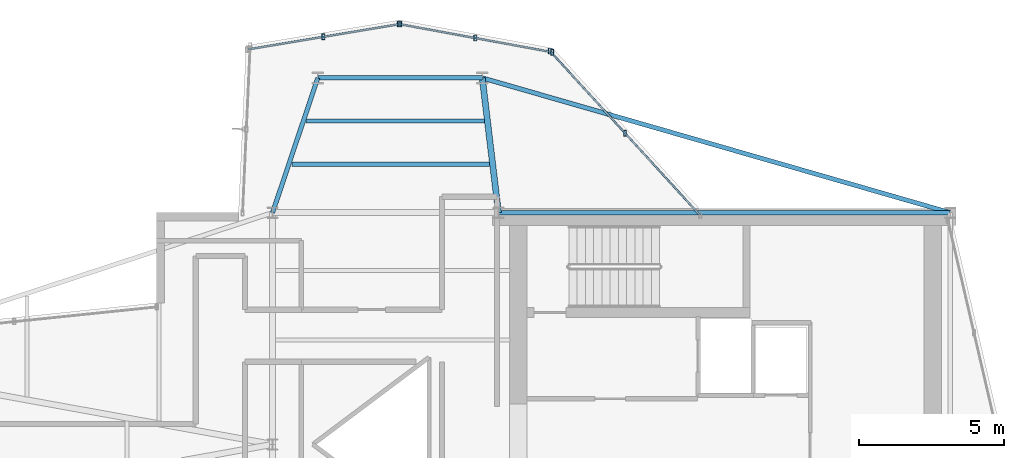
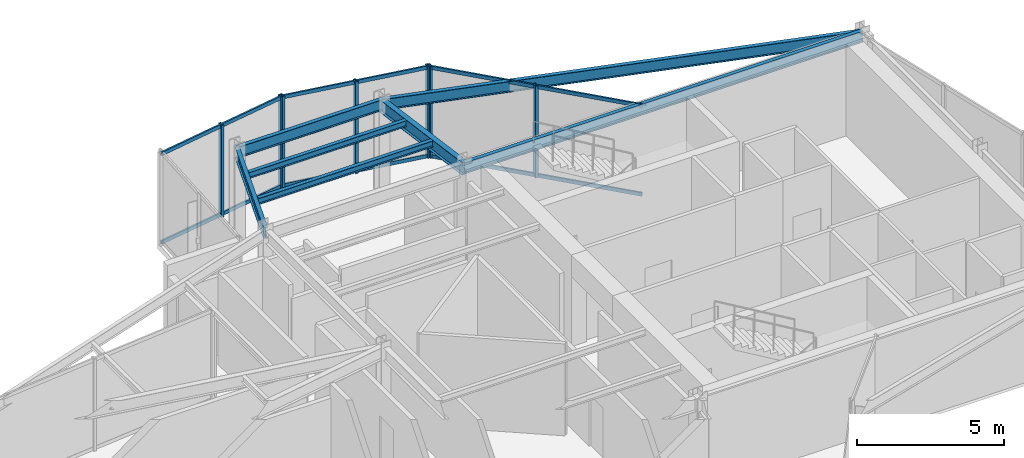
# One storey, part 6 of 13: 13 members, 7 beams, 3 elements without a shape of their own.
"""IFC4 building model written with IfcOpenShell, lengths in metres."""

from ifc_helpers import new_model, si_unit, direction, frame, origin, origin_2d, place, context, subcontext, project, spatial, hollow_rectangle, i_section, extrude, material, layer, layer_set, material_profile, profile_set, type_object, element, aggregate, save


model = new_model("IFC4")

# Units and contexts
model_context = context("Model", 3, precision=1e-05, world=origin(), true_north=direction((0.0, 1.0)))
body_context = subcontext(model_context, "Body", "Model", "MODEL_VIEW")
ifc_project = project(units=[si_unit("LENGTHUNIT", "METRE"), si_unit("AREAUNIT", "SQUARE_METRE"), si_unit("VOLUMEUNIT", "CUBIC_METRE"), si_unit("PLANEANGLEUNIT", "RADIAN"), si_unit("MASSUNIT", "GRAM", prefix="KILO")], contexts=[model_context])

# Site, building, storey
site_placement = place(None, origin())
site = spatial("IfcSite", under=ifc_project, at=site_placement, CompositionType="ELEMENT")
building_placement = place(site_placement, origin())
building = spatial("IfcBuilding", under=site, at=building_placement, Name="Veymaron Broadcast Tower", CompositionType="ELEMENT")
storey_placement = place(building_placement, frame((0.0, 0.0, 279.0)))
storey = spatial("IfcBuildingStorey", under=building, at=storey_placement, Name="L65", CompositionType="ELEMENT", Elevation=279.0)

# Beams
ifc_material_1 = material(Name="Structural steel ASTM A992 Gr 50", Category="steel")
ifc_material_profile_1 = material_profile(ifc_material_1, i_section(OverallWidth=0.208984375, OverallDepth=0.528076171875, WebThickness=0.009521484375, FlangeThickness=0.01318359375, at=origin_2d()), Name="W530X82")
ifc_profile_set_1 = profile_set([ifc_material_profile_1], Name="Structural steel ASTM A992 Gr 50")
beam_type_1 = type_object("IfcBeamType", Name="BM-FG4", PredefinedType="BEAM", material=ifc_profile_set_1)
beam_1_placement = place(storey_placement, frame((39.0, 32.0, 3.5458984375), z_axis=(-0.119114400744, 0.992880536387, 0.0), x_axis=(-0.992880536387, -0.119114400744, 0.0)))
element("IfcBeam", 1, at=beam_1_placement, inside=storey, type_object=beam_type_1, Name="L65 primary structural floor girder", PredefinedType="BEAM", context=body_context, shape_type="SweptSolid", body=[
    extrude(i_section(OverallWidth=0.208984375, OverallDepth=0.528076171875, WebThickness=0.009521484375, FlangeThickness=0.01318359375, at=origin_2d()), origin(), (0.0, 0.0, 1.0), 4.685546875),
])
ifc_material_profile_2 = material_profile(ifc_material_1, i_section(OverallWidth=0.14599609375, OverallDepth=0.258056640625, WebThickness=0.006103515625, FlangeThickness=0.009033203125, at=origin_2d()), Name="W250X33")
ifc_profile_set_2 = profile_set([ifc_material_profile_2], Name="Structural steel ASTM A992 Gr 50")
beam_type_2 = type_object("IfcBeamType", Name="BM-JS4", PredefinedType="JOIST", material=ifc_profile_set_2)
beam_2_placement = place(storey_placement, frame((31.862548828125, 33.6748046875, 3.680908203125), z_axis=(1.0, 0.0, 0.0), x_axis=(0.0, 1.0, 0.0)))
element("IfcBeam", 2, at=beam_2_placement, inside=storey, type_object=beam_type_2, Name="L65 Arm-B secondary joist 1", PredefinedType="JOIST", context=body_context, shape_type="SweptSolid", body=[
    extrude(i_section(OverallWidth=0.14599609375, OverallDepth=0.258056640625, WebThickness=0.006103515625, FlangeThickness=0.009033203125, at=origin_2d()), origin(), (0.0, 0.0, 1.0), 6.836669921875),
])
beam_3_placement = place(storey_placement, frame((32.3623046875, 35.163330078125, 3.680908203125), z_axis=(1.0, 0.0, 0.0), x_axis=(0.0, 1.0, 0.0)))
element("IfcBeam", 3, at=beam_3_placement, inside=storey, type_object=beam_type_2, Name="L65 Arm-B secondary joist 2", PredefinedType="JOIST", context=body_context, shape_type="SweptSolid", body=[
    extrude(i_section(OverallWidth=0.14599609375, OverallDepth=0.258056640625, WebThickness=0.006103515625, FlangeThickness=0.009033203125, at=origin_2d()), origin(), (0.0, 0.0, 1.0), 6.158203125),
])
ifc_material_profile_3 = material_profile(ifc_material_1, i_section(OverallWidth=0.154052734375, OverallDepth=0.458984375, WebThickness=0.009033203125, FlangeThickness=0.015380859375, at=origin_2d()), Name="W460X68")
ifc_profile_set_3 = profile_set([ifc_material_profile_3], Name="Structural steel ASTM A992 Gr 50")
beam_type_3 = type_object("IfcBeamType", Name="BM-SP2", PredefinedType="SPANDREL", material=ifc_profile_set_3)
beam_4_placement = place(storey_placement, frame((39.0, 32.0, 3.58056640625), z_axis=(1.0, 0.0, 0.0), x_axis=(0.0, 1.0, 0.0)))
element("IfcBeam", 4, at=beam_4_placement, inside=storey, type_object=beam_type_3, Name="L65 primary structural floor girder", PredefinedType="SPANDREL", context=body_context, shape_type="SweptSolid", body=[
    extrude(i_section(OverallWidth=0.154052734375, OverallDepth=0.458984375, WebThickness=0.009033203125, FlangeThickness=0.015380859375, at=origin_2d()), origin(), (0.0, 0.0, 1.0), 15.60009765625),
])
beam_5_placement = place(storey_placement, frame((31.199951171875, 32.0, 3.58056640625), z_axis=(0.318391007143, 0.947959475173, 0.0), x_axis=(-0.947959475173, 0.318391007143, 0.0)))
element("IfcBeam", 5, at=beam_5_placement, inside=storey, type_object=beam_type_3, Name="L65 primary structural floor girder", PredefinedType="SPANDREL", context=body_context, shape_type="SweptSolid", body=[
    extrude(i_section(OverallWidth=0.154052734375, OverallDepth=0.458984375, WebThickness=0.009033203125, FlangeThickness=0.015380859375, at=origin_2d()), origin(), (0.0, 0.0, 1.0), 4.907470703125),
])
beam_6_placement = place(storey_placement, frame((54.60009765625, 32.0, 3.58056640625), z_axis=(-0.960964746108, 0.276670845478, 0.0), x_axis=(-0.276670845478, -0.960964746108, 0.0)))
element("IfcBeam", 6, at=beam_6_placement, inside=storey, type_object=beam_type_3, Name="L65 primary structural floor girder", PredefinedType="SPANDREL", context=body_context, shape_type="SweptSolid", body=[
    extrude(i_section(OverallWidth=0.154052734375, OverallDepth=0.458984375, WebThickness=0.009033203125, FlangeThickness=0.015380859375, at=origin_2d()), origin(), (0.0, 0.0, 1.0), 16.814453125),
])
beam_7_placement = place(storey_placement, frame((32.762451171875, 36.652099609375, 3.58056640625), z_axis=(1.0, 0.0, 0.0), x_axis=(0.0, 1.0, 0.0)))
element("IfcBeam", 7, at=beam_7_placement, inside=storey, type_object=beam_type_3, Name="L65 primary structural floor girder", PredefinedType="SPANDREL", context=body_context, shape_type="SweptSolid", body=[
    extrude(i_section(OverallWidth=0.154052734375, OverallDepth=0.458984375, WebThickness=0.009033203125, FlangeThickness=0.015380859375, at=origin_2d()), origin(), (0.0, 0.0, 1.0), 5.679443359375),
])

# Curtain wall, members
ifc_material_2 = material(Name="Anodised aluminium AA 6063-T6 and laminated low-E dark glass", Category="aluminium")
ifc_layer = layer(ifc_material_2, 0.179931640625)
ifc_layer_set = layer_set([ifc_layer], Name="Anodised aluminium AA 6063-T6 and laminated low-E dark glass")
curtain_wall_type = type_object("IfcCurtainWallType", Name="CW-SYS-06", PredefinedType="NOTDEFINED", material=ifc_layer_set)
curtain_wall_1_placement = place(storey_placement, origin())
curtain_wall_1 = element("IfcCurtainWall", 8, at=curtain_wall_1_placement, inside=storey, type_object=curtain_wall_type, Name="L65 dark-glass curtain wall CW-L65-E5-1", PredefinedType="NOTDEFINED")
ifc_material_3 = material(Name="Anodised aluminium AA 6063-T6", Category="aluminium")
ifc_material_profile_4 = material_profile(ifc_material_3, hollow_rectangle(XDim=0.10009765625, YDim=0.199951171875, WallThickness=0.010009765625, at=origin_2d()), Name="RHS200X100X10")
ifc_profile_set_4 = profile_set([ifc_material_profile_4], Name="Anodised aluminium AA 6063-T6")
member_type_1 = type_object("IfcMemberType", Name="CW-MUL-01", PredefinedType="MULLION", material=ifc_profile_set_4)
member_1_placement = place(storey_placement, frame((43.3701171875, 34.74609375, 0.0), z_axis=(0.0, 0.0, 1.0), x_axis=(1.0, 0.0, 0.0)))
member_1 = element("IfcMember", 9, at=member_1_placement, type_object=member_type_1, Name="CW-L65-E5-1 mullion 1", PredefinedType="MULLION", context=body_context, shape_type="SweptSolid", body=[
    extrude(hollow_rectangle(XDim=0.10009765625, YDim=0.199951171875, WallThickness=0.010009765625, at=origin_2d()), origin(), (0.0, 0.0, 1.0), 3.81005859375),
])
member_2_placement = place(storey_placement, frame((40.7744140625, 37.58642578125, 0.0), z_axis=(0.0, 0.0, 1.0), x_axis=(1.0, 0.0, 0.0)))
member_2 = element("IfcMember", 10, at=member_2_placement, type_object=member_type_1, Name="CW-L65-E5-1 mullion 2", PredefinedType="MULLION", context=body_context, shape_type="SweptSolid", body=[
    extrude(hollow_rectangle(XDim=0.10009765625, YDim=0.199951171875, WallThickness=0.010009765625, at=origin_2d()), origin(), (0.0, 0.0, 1.0), 3.81005859375),
])

curtain_wall_2_placement = place(storey_placement, origin())
curtain_wall_2 = element("IfcCurtainWall", 11, at=curtain_wall_2_placement, inside=storey, type_object=curtain_wall_type, Name="L65 dark-glass curtain wall CW-L65-E6-1", PredefinedType="NOTDEFINED")
member_3_placement = place(storey_placement, frame((40.852294921875, 37.543212890625, 0.0), z_axis=(0.0, 0.0, 1.0), x_axis=(1.0, 0.0, 0.0)))
member_3 = element("IfcMember", 12, at=member_3_placement, type_object=member_type_1, Name="CW-L65-E6-1 mullion 0", PredefinedType="MULLION", context=body_context, shape_type="SweptSolid", body=[
    extrude(hollow_rectangle(XDim=0.10009765625, YDim=0.199951171875, WallThickness=0.010009765625, at=origin_2d()), origin(), (0.0, 0.0, 1.0), 3.81005859375),
])
member_4_placement = place(storey_placement, frame((38.2041015625, 38.029296875, 0.0), z_axis=(0.0, 0.0, 1.0), x_axis=(1.0, 0.0, 0.0)))
member_4 = element("IfcMember", 13, at=member_4_placement, type_object=member_type_1, Name="CW-L65-E6-1 mullion 1", PredefinedType="MULLION", context=body_context, shape_type="SweptSolid", body=[
    extrude(hollow_rectangle(XDim=0.10009765625, YDim=0.199951171875, WallThickness=0.010009765625, at=origin_2d()), origin(), (0.0, 0.0, 1.0), 3.81005859375),
])
member_5_placement = place(storey_placement, frame((35.555908203125, 38.515380859375, 0.0), z_axis=(0.0, 0.0, 1.0), x_axis=(1.0, 0.0, 0.0)))
member_5 = element("IfcMember", 14, at=member_5_placement, type_object=member_type_1, Name="CW-L65-E6-1 mullion 2", PredefinedType="MULLION", context=body_context, shape_type="SweptSolid", body=[
    extrude(hollow_rectangle(XDim=0.10009765625, YDim=0.199951171875, WallThickness=0.010009765625, at=origin_2d()), origin(), (0.0, 0.0, 1.0), 3.81005859375),
])

curtain_wall_3_placement = place(storey_placement, origin())
curtain_wall_3 = element("IfcCurtainWall", 15, at=curtain_wall_3_placement, inside=storey, type_object=curtain_wall_type, Name="L65 dark-glass curtain wall CW-L65-E7-1", PredefinedType="NOTDEFINED")
member_6_placement = place(storey_placement, frame((35.604248046875, 38.51513671875, 0.0), z_axis=(0.0, 0.0, 1.0), x_axis=(1.0, 0.0, 0.0)))
member_6 = element("IfcMember", 16, at=member_6_placement, type_object=member_type_1, Name="CW-L65-E7-1 mullion 0", PredefinedType="MULLION", context=body_context, shape_type="SweptSolid", body=[
    extrude(hollow_rectangle(XDim=0.10009765625, YDim=0.199951171875, WallThickness=0.010009765625, at=origin_2d()), origin(), (0.0, 0.0, 1.0), 3.81005859375),
])
member_7_placement = place(storey_placement, frame((32.9560546875, 38.072998046875, 0.0), z_axis=(0.0, 0.0, 1.0), x_axis=(1.0, 0.0, 0.0)))
member_7 = element("IfcMember", 17, at=member_7_placement, type_object=member_type_1, Name="CW-L65-E7-1 mullion 1", PredefinedType="MULLION", context=body_context, shape_type="SweptSolid", body=[
    extrude(hollow_rectangle(XDim=0.10009765625, YDim=0.199951171875, WallThickness=0.010009765625, at=origin_2d()), origin(), (0.0, 0.0, 1.0), 3.81005859375),
])

# Member
ifc_material_profile_5 = material_profile(ifc_material_3, hollow_rectangle(XDim=0.06494140625, YDim=0.14990234375, WallThickness=0.00390625, at=origin_2d()), Name="AL150X65X4")
ifc_profile_set_5 = profile_set([ifc_material_profile_5], Name="Anodised aluminium AA 6063-T6")
member_type_2 = type_object("IfcMemberType", Name="CW-TRN-01", PredefinedType="USERDEFINED", material=ifc_profile_set_5)
member_8_placement = place(storey_placement, frame((45.931884765625, 31.9423828125, 0.070068359375), z_axis=(-0.674569589879, 0.738211262722, 0.0), x_axis=(-0.738211262722, -0.674569589879, 0.0)))
member_8 = element("IfcMember", 18, at=member_8_placement, type_object=member_type_2, Name="CW-L65-E5-1 transom B", ObjectType="TRANSOM", PredefinedType="USERDEFINED", context=body_context, shape_type="SweptSolid", body=[
    extrude(hollow_rectangle(XDim=0.06494140625, YDim=0.14990234375, WallThickness=0.00390625, at=origin_2d()), origin(), (0.0, 0.0, 1.0), 7.595703125),
])

member_9_placement = place(storey_placement, frame((45.931884765625, 31.9423828125, 3.739990234375), z_axis=(-0.674569589879, 0.738211262722, 0.0), x_axis=(-0.738211262722, -0.674569589879, 0.0)))
member_9 = element("IfcMember", 19, at=member_9_placement, type_object=member_type_2, Name="CW-L65-E5-1 transom T", ObjectType="TRANSOM", PredefinedType="USERDEFINED", context=body_context, shape_type="SweptSolid", body=[
    extrude(hollow_rectangle(XDim=0.06494140625, YDim=0.14990234375, WallThickness=0.00390625, at=origin_2d()), origin(), (0.0, 0.0, 1.0), 7.595703125),
])

aggregate(curtain_wall_1, [member_1, member_2, member_8, member_9])

member_10_placement = place(storey_placement, frame((40.802978515625, 37.552001953125, 0.070068359375), z_axis=(-0.983552023681, 0.180625072218, 0.0), x_axis=(-0.180625072218, -0.983552023681, 0.0)))
member_10 = element("IfcMember", 20, at=member_10_placement, type_object=member_type_2, Name="CW-L65-E6-1 transom B", ObjectType="TRANSOM", PredefinedType="USERDEFINED", context=body_context, shape_type="SweptSolid", body=[
    extrude(hollow_rectangle(XDim=0.06494140625, YDim=0.14990234375, WallThickness=0.00390625, at=origin_2d()), origin(), (0.0, 0.0, 1.0), 5.284912109375),
])

member_11_placement = place(storey_placement, frame((40.802978515625, 37.552001953125, 3.739990234375), z_axis=(-0.983552023681, 0.180625072218, 0.0), x_axis=(-0.180625072218, -0.983552023681, 0.0)))
member_11 = element("IfcMember", 21, at=member_11_placement, type_object=member_type_2, Name="CW-L65-E6-1 transom T", ObjectType="TRANSOM", PredefinedType="USERDEFINED", context=body_context, shape_type="SweptSolid", body=[
    extrude(hollow_rectangle(XDim=0.06494140625, YDim=0.14990234375, WallThickness=0.00390625, at=origin_2d()), origin(), (0.0, 0.0, 1.0), 5.284912109375),
])

aggregate(curtain_wall_2, [member_3, member_4, member_5, member_10, member_11])

member_12_placement = place(storey_placement, frame((35.554931640625, 38.5068359375, 0.070068359375), z_axis=(-0.986358841104, -0.164609345347, 0.0), x_axis=(0.164609345347, -0.986358841104, 0.0)))
member_12 = element("IfcMember", 22, at=member_12_placement, type_object=member_type_2, Name="CW-L65-E7-1 transom B", ObjectType="TRANSOM", PredefinedType="USERDEFINED", context=body_context, shape_type="SweptSolid", body=[
    extrude(hollow_rectangle(XDim=0.06494140625, YDim=0.14990234375, WallThickness=0.00390625, at=origin_2d()), origin(), (0.0, 0.0, 1.0), 5.26953125),
])

member_13_placement = place(storey_placement, frame((35.554931640625, 38.5068359375, 3.739990234375), z_axis=(-0.986358841104, -0.164609345347, 0.0), x_axis=(0.164609345347, -0.986358841104, 0.0)))
member_13 = element("IfcMember", 23, at=member_13_placement, type_object=member_type_2, Name="CW-L65-E7-1 transom T", ObjectType="TRANSOM", PredefinedType="USERDEFINED", context=body_context, shape_type="SweptSolid", body=[
    extrude(hollow_rectangle(XDim=0.06494140625, YDim=0.14990234375, WallThickness=0.00390625, at=origin_2d()), origin(), (0.0, 0.0, 1.0), 5.26953125),
])

aggregate(curtain_wall_3, [member_6, member_7, member_12, member_13])

save(model, "model.ifc")
